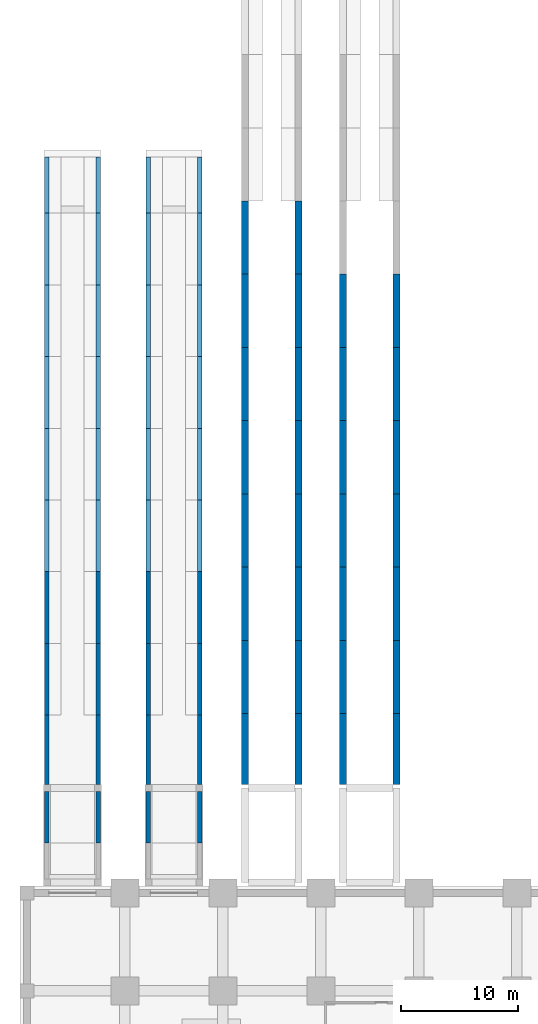
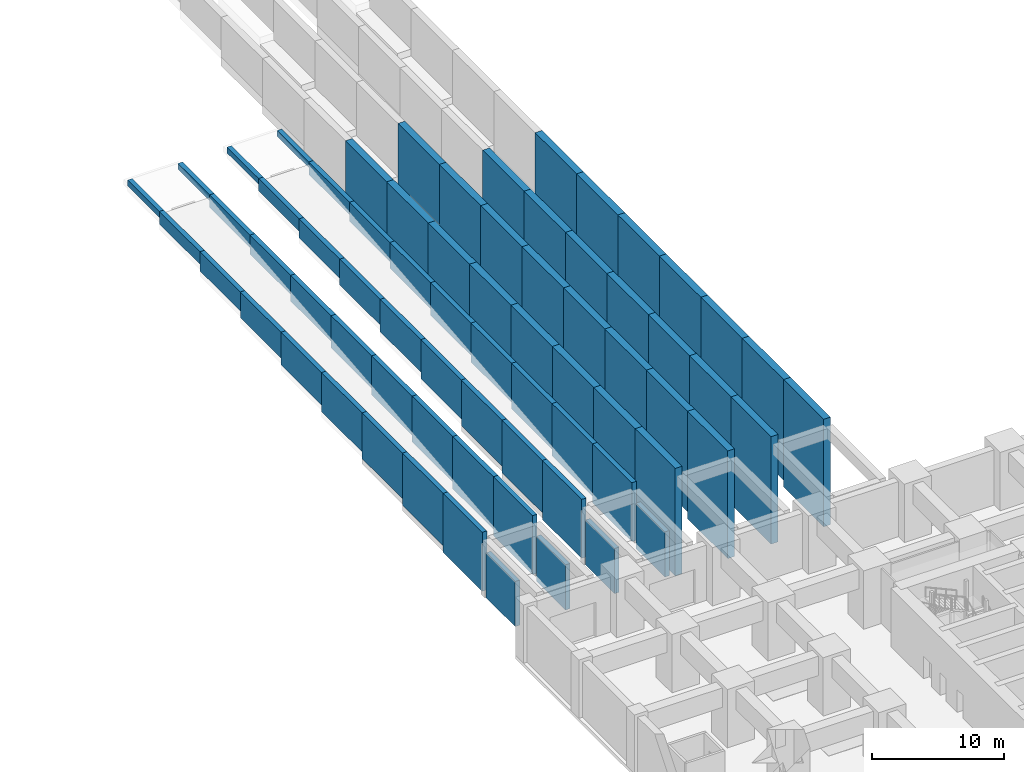
# One storey, part 10 of 20: 70 walls.
"""IFC4 building model written with IfcOpenShell, lengths in metres."""

from ifc_helpers import new_model, si_unit, direction, frame, frame_2d, origin, place, context, subcontext, project, spatial, rectangle, extrude, material, layer, layer_set, type_object, element, save


model = new_model("IFC4")

# Units and contexts
model_context = context("Model", 3, precision=1e-05, world=origin(), true_north=direction((0.0, 1.0)))
body_context = subcontext(model_context, "Body", "Model", "MODEL_VIEW")
ifc_project = project(units=[si_unit("LENGTHUNIT", "METRE"), si_unit("AREAUNIT", "SQUARE_METRE"), si_unit("VOLUMEUNIT", "CUBIC_METRE"), si_unit("PLANEANGLEUNIT", "RADIAN"), si_unit("MASSUNIT", "GRAM", prefix="KILO")], contexts=[model_context])

# Site, building, storey
site_placement = place(None, origin())
site = spatial("IfcSite", under=ifc_project, at=site_placement, CompositionType="ELEMENT")
building_placement = place(site_placement, origin())
building = spatial("IfcBuilding", under=site, at=building_placement, Name="Rekha Terrace Tower", CompositionType="ELEMENT")
storey_placement = place(building_placement, frame((0.0, 0.0, -5.39990234375)))
storey = spatial("IfcBuildingStorey", under=building, at=storey_placement, Name="B-01", CompositionType="ELEMENT", Elevation=-5.39990234375)

# Walls
ifc_material = material(Name="Concrete M40", Category="concrete")
ifc_layer_1 = layer(ifc_material, 0.39990234375)
ifc_layer_set_1 = layer_set([ifc_layer_1], Name="Concrete M40")
wall_type_1 = type_object("IfcWallType", Name="RW2 400 ramp retaining wall", PredefinedType="SOLIDWALL", material=ifc_layer_set_1)
wall_1_placement = place(storey_placement, frame((1.699951171875, 63.10009765625, -0.300048828125), z_axis=(0.0, 0.0, 1.0), x_axis=(0.0, 1.0, 0.0)))
element("IfcWall", 1, at=wall_1_placement, inside=storey, type_object=wall_type_1, Name="Ramp 1 kerb wall RW2 W2", PredefinedType="SOLIDWALL", context=body_context, shape_type="SweptSolid", body=[
    extrude(rectangle(XDim=4.39990234375, YDim=0.39990234375, at=frame_2d((2.199951171875, 0.0))), origin(), (0.0, 0.0, 1.0), 4.179931640625),
])
wall_2_placement = place(storey_placement, frame((1.699951171875, 68.10009765625, -0.06005859375), z_axis=(0.0, 0.0, 1.0), x_axis=(0.0, 1.0, 0.0)))
element("IfcWall", 2, at=wall_2_placement, inside=storey, type_object=wall_type_1, Name="Ramp 1 kerb wall RW2 W3", PredefinedType="SOLIDWALL", context=body_context, shape_type="SweptSolid", body=[
    extrude(rectangle(XDim=5.949951171875, YDim=0.39990234375, at=frame_2d((2.97509765625, 0.0))), origin(), (0.0, 0.0, 1.0), 5.4599609375),
])
wall_3_placement = place(storey_placement, frame((1.699951171875, 74.050048828125, 0.554931640625), z_axis=(0.0, 0.0, 1.0), x_axis=(0.0, 1.0, 0.0)))
element("IfcWall", 3, at=wall_3_placement, inside=storey, type_object=wall_type_1, Name="Ramp 1 kerb wall RW2 W4", PredefinedType="SOLIDWALL", context=body_context, shape_type="SweptSolid", body=[
    extrude(rectangle(XDim=6.14990234375, YDim=0.39990234375, at=frame_2d((3.074951171875, 0.0))), origin(), (0.0, 0.0, 1.0), 4.844970703125),
])
wall_4_placement = place(storey_placement, frame((1.699951171875, 80.199951171875, 1.169921875), z_axis=(0.0, 0.0, 1.0), x_axis=(0.0, 1.0, 0.0)))
element("IfcWall", 4, at=wall_4_placement, inside=storey, type_object=wall_type_1, Name="Ramp 1 kerb wall RW2 W5", PredefinedType="SOLIDWALL", context=body_context, shape_type="SweptSolid", body=[
    extrude(rectangle(XDim=6.150146484375, YDim=0.39990234375, at=frame_2d((3.0751953125, 0.0))), origin(), (0.0, 0.0, 1.0), 4.22998046875),
])
wall_5_placement = place(storey_placement, frame((1.699951171875, 86.35009765625, 1.784912109375), z_axis=(0.0, 0.0, 1.0), x_axis=(0.0, 1.0, 0.0)))
element("IfcWall", 5, at=wall_5_placement, inside=storey, type_object=wall_type_1, Name="Ramp 1 kerb wall RW2 W6", PredefinedType="SOLIDWALL", context=body_context, shape_type="SweptSolid", body=[
    extrude(rectangle(XDim=6.14990234375, YDim=0.39990234375, at=frame_2d((3.074951171875, 0.0))), origin(), (0.0, 0.0, 1.0), 3.614990234375),
])
wall_6_placement = place(storey_placement, frame((1.699951171875, 92.5, 2.39990234375), z_axis=(0.0, 0.0, 1.0), x_axis=(0.0, 1.0, 0.0)))
element("IfcWall", 6, at=wall_6_placement, inside=storey, type_object=wall_type_1, Name="Ramp 1 kerb wall RW2 W7", PredefinedType="SOLIDWALL", context=body_context, shape_type="SweptSolid", body=[
    extrude(rectangle(XDim=6.14990234375, YDim=0.39990234375, at=frame_2d((3.074951171875, 0.0))), origin(), (0.0, 0.0, 1.0), 3.0),
])
wall_7_placement = place(storey_placement, frame((1.699951171875, 98.64990234375, 3.014892578125), z_axis=(0.0, 0.0, 1.0), x_axis=(0.0, 1.0, 0.0)))
element("IfcWall", 7, at=wall_7_placement, inside=storey, type_object=wall_type_1, Name="Ramp 1 kerb wall RW2 W8", PredefinedType="SOLIDWALL", context=body_context, shape_type="SweptSolid", body=[
    extrude(rectangle(XDim=6.150146484375, YDim=0.39990234375, at=frame_2d((3.0751953125, 0.0))), origin(), (0.0, 0.0, 1.0), 2.385009765625),
])
wall_8_placement = place(storey_placement, frame((1.699951171875, 104.800048828125, 3.6298828125), z_axis=(0.0, 0.0, 1.0), x_axis=(0.0, 1.0, 0.0)))
element("IfcWall", 8, at=wall_8_placement, inside=storey, type_object=wall_type_1, Name="Ramp 1 kerb wall RW2 W9", PredefinedType="SOLIDWALL", context=body_context, shape_type="SweptSolid", body=[
    extrude(rectangle(XDim=6.14990234375, YDim=0.39990234375, at=frame_2d((3.074951171875, 0.0))), origin(), (0.0, 0.0, 1.0), 1.77001953125),
])
wall_9_placement = place(storey_placement, frame((1.699951171875, 110.949951171875, 4.244873046875), z_axis=(0.0, 0.0, 1.0), x_axis=(0.0, 1.0, 0.0)))
element("IfcWall", 9, at=wall_9_placement, inside=storey, type_object=wall_type_1, Name="Ramp 1 kerb wall RW2 W10", PredefinedType="SOLIDWALL", context=body_context, shape_type="SweptSolid", body=[
    extrude(rectangle(XDim=6.150146484375, YDim=0.39990234375, at=frame_2d((3.0751953125, 0.0))), origin(), (0.0, 0.0, 1.0), 1.155029296875),
])
wall_10_placement = place(storey_placement, frame((1.699951171875, 117.10009765625, 4.85986328125), z_axis=(0.0, 0.0, 1.0), x_axis=(0.0, 1.0, 0.0)))
element("IfcWall", 10, at=wall_10_placement, inside=storey, type_object=wall_type_1, Name="Ramp 1 kerb wall RW2 W11", PredefinedType="SOLIDWALL", context=body_context, shape_type="SweptSolid", body=[
    extrude(rectangle(XDim=4.7998046875, YDim=0.39990234375, at=frame_2d((2.39990234375, 0.0))), origin(), (0.0, 0.0, 1.0), 0.5400390625),
])
wall_11_placement = place(storey_placement, frame((6.10009765625, 63.10009765625, -0.300048828125), z_axis=(0.0, 0.0, 1.0), x_axis=(0.0, 1.0, 0.0)))
element("IfcWall", 11, at=wall_11_placement, inside=storey, type_object=wall_type_1, Name="Ramp 1 kerb wall RW2 E2", PredefinedType="SOLIDWALL", context=body_context, shape_type="SweptSolid", body=[
    extrude(rectangle(XDim=4.39990234375, YDim=0.39990234375, at=frame_2d((2.199951171875, 0.0))), origin(), (0.0, 0.0, 1.0), 4.179931640625),
])
wall_12_placement = place(storey_placement, frame((6.10009765625, 68.10009765625, -0.06005859375), z_axis=(0.0, 0.0, 1.0), x_axis=(0.0, 1.0, 0.0)))
element("IfcWall", 12, at=wall_12_placement, inside=storey, type_object=wall_type_1, Name="Ramp 1 kerb wall RW2 E3", PredefinedType="SOLIDWALL", context=body_context, shape_type="SweptSolid", body=[
    extrude(rectangle(XDim=5.949951171875, YDim=0.39990234375, at=frame_2d((2.97509765625, 0.0))), origin(), (0.0, 0.0, 1.0), 5.4599609375),
])
wall_13_placement = place(storey_placement, frame((6.10009765625, 74.050048828125, 0.554931640625), z_axis=(0.0, 0.0, 1.0), x_axis=(0.0, 1.0, 0.0)))
element("IfcWall", 13, at=wall_13_placement, inside=storey, type_object=wall_type_1, Name="Ramp 1 kerb wall RW2 E4", PredefinedType="SOLIDWALL", context=body_context, shape_type="SweptSolid", body=[
    extrude(rectangle(XDim=6.14990234375, YDim=0.39990234375, at=frame_2d((3.074951171875, 0.0))), origin(), (0.0, 0.0, 1.0), 4.844970703125),
])
wall_14_placement = place(storey_placement, frame((6.10009765625, 80.199951171875, 1.169921875), z_axis=(0.0, 0.0, 1.0), x_axis=(0.0, 1.0, 0.0)))
element("IfcWall", 14, at=wall_14_placement, inside=storey, type_object=wall_type_1, Name="Ramp 1 kerb wall RW2 E5", PredefinedType="SOLIDWALL", context=body_context, shape_type="SweptSolid", body=[
    extrude(rectangle(XDim=6.150146484375, YDim=0.39990234375, at=frame_2d((3.0751953125, 0.0))), origin(), (0.0, 0.0, 1.0), 4.22998046875),
])
wall_15_placement = place(storey_placement, frame((6.10009765625, 86.35009765625, 1.784912109375), z_axis=(0.0, 0.0, 1.0), x_axis=(0.0, 1.0, 0.0)))
element("IfcWall", 15, at=wall_15_placement, inside=storey, type_object=wall_type_1, Name="Ramp 1 kerb wall RW2 E6", PredefinedType="SOLIDWALL", context=body_context, shape_type="SweptSolid", body=[
    extrude(rectangle(XDim=6.14990234375, YDim=0.39990234375, at=frame_2d((3.074951171875, 0.0))), origin(), (0.0, 0.0, 1.0), 3.614990234375),
])
wall_16_placement = place(storey_placement, frame((6.10009765625, 92.5, 2.39990234375), z_axis=(0.0, 0.0, 1.0), x_axis=(0.0, 1.0, 0.0)))
element("IfcWall", 16, at=wall_16_placement, inside=storey, type_object=wall_type_1, Name="Ramp 1 kerb wall RW2 E7", PredefinedType="SOLIDWALL", context=body_context, shape_type="SweptSolid", body=[
    extrude(rectangle(XDim=6.14990234375, YDim=0.39990234375, at=frame_2d((3.074951171875, 0.0))), origin(), (0.0, 0.0, 1.0), 3.0),
])
wall_17_placement = place(storey_placement, frame((6.10009765625, 98.64990234375, 3.014892578125), z_axis=(0.0, 0.0, 1.0), x_axis=(0.0, 1.0, 0.0)))
element("IfcWall", 17, at=wall_17_placement, inside=storey, type_object=wall_type_1, Name="Ramp 1 kerb wall RW2 E8", PredefinedType="SOLIDWALL", context=body_context, shape_type="SweptSolid", body=[
    extrude(rectangle(XDim=6.150146484375, YDim=0.39990234375, at=frame_2d((3.0751953125, 0.0))), origin(), (0.0, 0.0, 1.0), 2.385009765625),
])
wall_18_placement = place(storey_placement, frame((6.10009765625, 104.800048828125, 3.6298828125), z_axis=(0.0, 0.0, 1.0), x_axis=(0.0, 1.0, 0.0)))
element("IfcWall", 18, at=wall_18_placement, inside=storey, type_object=wall_type_1, Name="Ramp 1 kerb wall RW2 E9", PredefinedType="SOLIDWALL", context=body_context, shape_type="SweptSolid", body=[
    extrude(rectangle(XDim=6.14990234375, YDim=0.39990234375, at=frame_2d((3.074951171875, 0.0))), origin(), (0.0, 0.0, 1.0), 1.77001953125),
])
wall_19_placement = place(storey_placement, frame((6.10009765625, 110.949951171875, 4.244873046875), z_axis=(0.0, 0.0, 1.0), x_axis=(0.0, 1.0, 0.0)))
element("IfcWall", 19, at=wall_19_placement, inside=storey, type_object=wall_type_1, Name="Ramp 1 kerb wall RW2 E10", PredefinedType="SOLIDWALL", context=body_context, shape_type="SweptSolid", body=[
    extrude(rectangle(XDim=6.150146484375, YDim=0.39990234375, at=frame_2d((3.0751953125, 0.0))), origin(), (0.0, 0.0, 1.0), 1.155029296875),
])
wall_20_placement = place(storey_placement, frame((6.10009765625, 117.10009765625, 4.85986328125), z_axis=(0.0, 0.0, 1.0), x_axis=(0.0, 1.0, 0.0)))
element("IfcWall", 20, at=wall_20_placement, inside=storey, type_object=wall_type_1, Name="Ramp 1 kerb wall RW2 E11", PredefinedType="SOLIDWALL", context=body_context, shape_type="SweptSolid", body=[
    extrude(rectangle(XDim=4.7998046875, YDim=0.39990234375, at=frame_2d((2.39990234375, 0.0))), origin(), (0.0, 0.0, 1.0), 0.5400390625),
])
wall_21_placement = place(storey_placement, frame((10.39990234375, 63.10009765625, -0.300048828125), z_axis=(0.0, 0.0, 1.0), x_axis=(0.0, 1.0, 0.0)))
element("IfcWall", 21, at=wall_21_placement, inside=storey, type_object=wall_type_1, Name="Ramp 2 kerb wall RW2 W2", PredefinedType="SOLIDWALL", context=body_context, shape_type="SweptSolid", body=[
    extrude(rectangle(XDim=4.39990234375, YDim=0.39990234375, at=frame_2d((2.199951171875, 0.0))), origin(), (0.0, 0.0, 1.0), 4.179931640625),
])
wall_22_placement = place(storey_placement, frame((10.39990234375, 68.10009765625, -0.06005859375), z_axis=(0.0, 0.0, 1.0), x_axis=(0.0, 1.0, 0.0)))
element("IfcWall", 22, at=wall_22_placement, inside=storey, type_object=wall_type_1, Name="Ramp 2 kerb wall RW2 W3", PredefinedType="SOLIDWALL", context=body_context, shape_type="SweptSolid", body=[
    extrude(rectangle(XDim=5.949951171875, YDim=0.39990234375, at=frame_2d((2.97509765625, 0.0))), origin(), (0.0, 0.0, 1.0), 5.4599609375),
])
wall_23_placement = place(storey_placement, frame((10.39990234375, 74.050048828125, 0.554931640625), z_axis=(0.0, 0.0, 1.0), x_axis=(0.0, 1.0, 0.0)))
element("IfcWall", 23, at=wall_23_placement, inside=storey, type_object=wall_type_1, Name="Ramp 2 kerb wall RW2 W4", PredefinedType="SOLIDWALL", context=body_context, shape_type="SweptSolid", body=[
    extrude(rectangle(XDim=6.14990234375, YDim=0.39990234375, at=frame_2d((3.074951171875, 0.0))), origin(), (0.0, 0.0, 1.0), 4.844970703125),
])
wall_24_placement = place(storey_placement, frame((10.39990234375, 80.199951171875, 1.169921875), z_axis=(0.0, 0.0, 1.0), x_axis=(0.0, 1.0, 0.0)))
element("IfcWall", 24, at=wall_24_placement, inside=storey, type_object=wall_type_1, Name="Ramp 2 kerb wall RW2 W5", PredefinedType="SOLIDWALL", context=body_context, shape_type="SweptSolid", body=[
    extrude(rectangle(XDim=6.150146484375, YDim=0.39990234375, at=frame_2d((3.0751953125, 0.0))), origin(), (0.0, 0.0, 1.0), 4.22998046875),
])
wall_25_placement = place(storey_placement, frame((10.39990234375, 86.35009765625, 1.784912109375), z_axis=(0.0, 0.0, 1.0), x_axis=(0.0, 1.0, 0.0)))
element("IfcWall", 25, at=wall_25_placement, inside=storey, type_object=wall_type_1, Name="Ramp 2 kerb wall RW2 W6", PredefinedType="SOLIDWALL", context=body_context, shape_type="SweptSolid", body=[
    extrude(rectangle(XDim=6.14990234375, YDim=0.39990234375, at=frame_2d((3.074951171875, 0.0))), origin(), (0.0, 0.0, 1.0), 3.614990234375),
])
wall_26_placement = place(storey_placement, frame((10.39990234375, 92.5, 2.39990234375), z_axis=(0.0, 0.0, 1.0), x_axis=(0.0, 1.0, 0.0)))
element("IfcWall", 26, at=wall_26_placement, inside=storey, type_object=wall_type_1, Name="Ramp 2 kerb wall RW2 W7", PredefinedType="SOLIDWALL", context=body_context, shape_type="SweptSolid", body=[
    extrude(rectangle(XDim=6.14990234375, YDim=0.39990234375, at=frame_2d((3.074951171875, 0.0))), origin(), (0.0, 0.0, 1.0), 3.0),
])
wall_27_placement = place(storey_placement, frame((10.39990234375, 98.64990234375, 3.014892578125), z_axis=(0.0, 0.0, 1.0), x_axis=(0.0, 1.0, 0.0)))
element("IfcWall", 27, at=wall_27_placement, inside=storey, type_object=wall_type_1, Name="Ramp 2 kerb wall RW2 W8", PredefinedType="SOLIDWALL", context=body_context, shape_type="SweptSolid", body=[
    extrude(rectangle(XDim=6.150146484375, YDim=0.39990234375, at=frame_2d((3.0751953125, 0.0))), origin(), (0.0, 0.0, 1.0), 2.385009765625),
])
wall_28_placement = place(storey_placement, frame((10.39990234375, 104.800048828125, 3.6298828125), z_axis=(0.0, 0.0, 1.0), x_axis=(0.0, 1.0, 0.0)))
element("IfcWall", 28, at=wall_28_placement, inside=storey, type_object=wall_type_1, Name="Ramp 2 kerb wall RW2 W9", PredefinedType="SOLIDWALL", context=body_context, shape_type="SweptSolid", body=[
    extrude(rectangle(XDim=6.14990234375, YDim=0.39990234375, at=frame_2d((3.074951171875, 0.0))), origin(), (0.0, 0.0, 1.0), 1.77001953125),
])
wall_29_placement = place(storey_placement, frame((10.39990234375, 110.949951171875, 4.244873046875), z_axis=(0.0, 0.0, 1.0), x_axis=(0.0, 1.0, 0.0)))
element("IfcWall", 29, at=wall_29_placement, inside=storey, type_object=wall_type_1, Name="Ramp 2 kerb wall RW2 W10", PredefinedType="SOLIDWALL", context=body_context, shape_type="SweptSolid", body=[
    extrude(rectangle(XDim=6.150146484375, YDim=0.39990234375, at=frame_2d((3.0751953125, 0.0))), origin(), (0.0, 0.0, 1.0), 1.155029296875),
])
wall_30_placement = place(storey_placement, frame((10.39990234375, 117.10009765625, 4.85986328125), z_axis=(0.0, 0.0, 1.0), x_axis=(0.0, 1.0, 0.0)))
element("IfcWall", 30, at=wall_30_placement, inside=storey, type_object=wall_type_1, Name="Ramp 2 kerb wall RW2 W11", PredefinedType="SOLIDWALL", context=body_context, shape_type="SweptSolid", body=[
    extrude(rectangle(XDim=4.7998046875, YDim=0.39990234375, at=frame_2d((2.39990234375, 0.0))), origin(), (0.0, 0.0, 1.0), 0.5400390625),
])
wall_31_placement = place(storey_placement, frame((14.800048828125, 63.10009765625, -0.300048828125), z_axis=(0.0, 0.0, 1.0), x_axis=(0.0, 1.0, 0.0)))
element("IfcWall", 31, at=wall_31_placement, inside=storey, type_object=wall_type_1, Name="Ramp 2 kerb wall RW2 E2", PredefinedType="SOLIDWALL", context=body_context, shape_type="SweptSolid", body=[
    extrude(rectangle(XDim=4.39990234375, YDim=0.39990234375, at=frame_2d((2.199951171875, 0.0))), origin(), (0.0, 0.0, 1.0), 4.179931640625),
])
wall_32_placement = place(storey_placement, frame((14.800048828125, 68.10009765625, -0.06005859375), z_axis=(0.0, 0.0, 1.0), x_axis=(0.0, 1.0, 0.0)))
element("IfcWall", 32, at=wall_32_placement, inside=storey, type_object=wall_type_1, Name="Ramp 2 kerb wall RW2 E3", PredefinedType="SOLIDWALL", context=body_context, shape_type="SweptSolid", body=[
    extrude(rectangle(XDim=5.949951171875, YDim=0.39990234375, at=frame_2d((2.97509765625, 0.0))), origin(), (0.0, 0.0, 1.0), 5.4599609375),
])
wall_33_placement = place(storey_placement, frame((14.800048828125, 74.050048828125, 0.554931640625), z_axis=(0.0, 0.0, 1.0), x_axis=(0.0, 1.0, 0.0)))
element("IfcWall", 33, at=wall_33_placement, inside=storey, type_object=wall_type_1, Name="Ramp 2 kerb wall RW2 E4", PredefinedType="SOLIDWALL", context=body_context, shape_type="SweptSolid", body=[
    extrude(rectangle(XDim=6.14990234375, YDim=0.39990234375, at=frame_2d((3.074951171875, 0.0))), origin(), (0.0, 0.0, 1.0), 4.844970703125),
])
wall_34_placement = place(storey_placement, frame((14.800048828125, 80.199951171875, 1.169921875), z_axis=(0.0, 0.0, 1.0), x_axis=(0.0, 1.0, 0.0)))
element("IfcWall", 34, at=wall_34_placement, inside=storey, type_object=wall_type_1, Name="Ramp 2 kerb wall RW2 E5", PredefinedType="SOLIDWALL", context=body_context, shape_type="SweptSolid", body=[
    extrude(rectangle(XDim=6.150146484375, YDim=0.39990234375, at=frame_2d((3.0751953125, 0.0))), origin(), (0.0, 0.0, 1.0), 4.22998046875),
])
wall_35_placement = place(storey_placement, frame((14.800048828125, 86.35009765625, 1.784912109375), z_axis=(0.0, 0.0, 1.0), x_axis=(0.0, 1.0, 0.0)))
element("IfcWall", 35, at=wall_35_placement, inside=storey, type_object=wall_type_1, Name="Ramp 2 kerb wall RW2 E6", PredefinedType="SOLIDWALL", context=body_context, shape_type="SweptSolid", body=[
    extrude(rectangle(XDim=6.14990234375, YDim=0.39990234375, at=frame_2d((3.074951171875, 0.0))), origin(), (0.0, 0.0, 1.0), 3.614990234375),
])
wall_36_placement = place(storey_placement, frame((14.800048828125, 92.5, 2.39990234375), z_axis=(0.0, 0.0, 1.0), x_axis=(0.0, 1.0, 0.0)))
element("IfcWall", 36, at=wall_36_placement, inside=storey, type_object=wall_type_1, Name="Ramp 2 kerb wall RW2 E7", PredefinedType="SOLIDWALL", context=body_context, shape_type="SweptSolid", body=[
    extrude(rectangle(XDim=6.14990234375, YDim=0.39990234375, at=frame_2d((3.074951171875, 0.0))), origin(), (0.0, 0.0, 1.0), 3.0),
])
wall_37_placement = place(storey_placement, frame((14.800048828125, 98.64990234375, 3.014892578125), z_axis=(0.0, 0.0, 1.0), x_axis=(0.0, 1.0, 0.0)))
element("IfcWall", 37, at=wall_37_placement, inside=storey, type_object=wall_type_1, Name="Ramp 2 kerb wall RW2 E8", PredefinedType="SOLIDWALL", context=body_context, shape_type="SweptSolid", body=[
    extrude(rectangle(XDim=6.150146484375, YDim=0.39990234375, at=frame_2d((3.0751953125, 0.0))), origin(), (0.0, 0.0, 1.0), 2.385009765625),
])
wall_38_placement = place(storey_placement, frame((14.800048828125, 104.800048828125, 3.6298828125), z_axis=(0.0, 0.0, 1.0), x_axis=(0.0, 1.0, 0.0)))
element("IfcWall", 38, at=wall_38_placement, inside=storey, type_object=wall_type_1, Name="Ramp 2 kerb wall RW2 E9", PredefinedType="SOLIDWALL", context=body_context, shape_type="SweptSolid", body=[
    extrude(rectangle(XDim=6.14990234375, YDim=0.39990234375, at=frame_2d((3.074951171875, 0.0))), origin(), (0.0, 0.0, 1.0), 1.77001953125),
])
wall_39_placement = place(storey_placement, frame((14.800048828125, 110.949951171875, 4.244873046875), z_axis=(0.0, 0.0, 1.0), x_axis=(0.0, 1.0, 0.0)))
element("IfcWall", 39, at=wall_39_placement, inside=storey, type_object=wall_type_1, Name="Ramp 2 kerb wall RW2 E10", PredefinedType="SOLIDWALL", context=body_context, shape_type="SweptSolid", body=[
    extrude(rectangle(XDim=6.150146484375, YDim=0.39990234375, at=frame_2d((3.0751953125, 0.0))), origin(), (0.0, 0.0, 1.0), 1.155029296875),
])
wall_40_placement = place(storey_placement, frame((14.800048828125, 117.10009765625, 4.85986328125), z_axis=(0.0, 0.0, 1.0), x_axis=(0.0, 1.0, 0.0)))
element("IfcWall", 40, at=wall_40_placement, inside=storey, type_object=wall_type_1, Name="Ramp 2 kerb wall RW2 E11", PredefinedType="SOLIDWALL", context=body_context, shape_type="SweptSolid", body=[
    extrude(rectangle(XDim=4.7998046875, YDim=0.39990234375, at=frame_2d((2.39990234375, 0.0))), origin(), (0.0, 0.0, 1.0), 0.5400390625),
])
ifc_layer_2 = layer(ifc_material, 0.60009765625)
ifc_layer_set_2 = layer_set([ifc_layer_2], Name="Concrete M40")
wall_type_2 = type_object("IfcWallType", Name="RW4 600 ramp retaining wall", PredefinedType="SOLIDWALL", material=ifc_layer_set_2)
wall_41_placement = place(storey_placement, frame((18.699951171875, 68.10009765625, -4.56005859375), z_axis=(0.0, 0.0, 1.0), x_axis=(0.0, 1.0, 0.0)))
element("IfcWall", 41, at=wall_41_placement, inside=storey, type_object=wall_type_2, Name="Ramp 3 kerb wall RW4 W3", PredefinedType="SOLIDWALL", context=body_context, shape_type="SweptSolid", body=[
    extrude(rectangle(XDim=6.079833984375, YDim=0.60009765625, at=frame_2d((3.0400390625, 0.0))), origin(), (0.0, 0.0, 1.0), 9.9599609375),
])
wall_42_placement = place(storey_placement, frame((18.699951171875, 74.179931640625, -3.93212890625), z_axis=(0.0, 0.0, 1.0), x_axis=(0.0, 1.0, 0.0)))
element("IfcWall", 42, at=wall_42_placement, inside=storey, type_object=wall_type_2, Name="Ramp 3 kerb wall RW4 W4", PredefinedType="SOLIDWALL", context=body_context, shape_type="SweptSolid", body=[
    extrude(rectangle(XDim=6.280029296875, YDim=0.60009765625, at=frame_2d((3.14013671875, 0.0))), origin(), (0.0, 0.0, 1.0), 9.33203125),
])
wall_43_placement = place(storey_placement, frame((18.699951171875, 80.4599609375, -3.30419921875), z_axis=(0.0, 0.0, 1.0), x_axis=(0.0, 1.0, 0.0)))
element("IfcWall", 43, at=wall_43_placement, inside=storey, type_object=wall_type_2, Name="Ramp 3 kerb wall RW4 W5", PredefinedType="SOLIDWALL", context=body_context, shape_type="SweptSolid", body=[
    extrude(rectangle(XDim=6.280029296875, YDim=0.60009765625, at=frame_2d((3.14013671875, 0.0))), origin(), (0.0, 0.0, 1.0), 8.7041015625),
])
wall_44_placement = place(storey_placement, frame((18.699951171875, 86.739990234375, -2.676025390625), z_axis=(0.0, 0.0, 1.0), x_axis=(0.0, 1.0, 0.0)))
element("IfcWall", 44, at=wall_44_placement, inside=storey, type_object=wall_type_2, Name="Ramp 3 kerb wall RW4 W6", PredefinedType="SOLIDWALL", context=body_context, shape_type="SweptSolid", body=[
    extrude(rectangle(XDim=6.280029296875, YDim=0.60009765625, at=frame_2d((3.14013671875, 0.0))), origin(), (0.0, 0.0, 1.0), 8.075927734375),
])
wall_45_placement = place(storey_placement, frame((18.699951171875, 93.02001953125, -2.048095703125), z_axis=(0.0, 0.0, 1.0), x_axis=(0.0, 1.0, 0.0)))
element("IfcWall", 45, at=wall_45_placement, inside=storey, type_object=wall_type_2, Name="Ramp 3 kerb wall RW4 W7", PredefinedType="SOLIDWALL", context=body_context, shape_type="SweptSolid", body=[
    extrude(rectangle(XDim=6.280029296875, YDim=0.60009765625, at=frame_2d((3.14013671875, 0.0))), origin(), (0.0, 0.0, 1.0), 7.447998046875),
])
wall_46_placement = place(storey_placement, frame((18.699951171875, 99.300048828125, -1.420166015625), z_axis=(0.0, 0.0, 1.0), x_axis=(0.0, 1.0, 0.0)))
element("IfcWall", 46, at=wall_46_placement, inside=storey, type_object=wall_type_2, Name="Ramp 3 kerb wall RW4 W8", PredefinedType="SOLIDWALL", context=body_context, shape_type="SweptSolid", body=[
    extrude(rectangle(XDim=6.280029296875, YDim=0.60009765625, at=frame_2d((3.14013671875, 0.0))), origin(), (0.0, 0.0, 1.0), 6.820068359375),
])
wall_47_placement = place(storey_placement, frame((18.699951171875, 105.580078125, -0.7919921875), z_axis=(0.0, 0.0, 1.0), x_axis=(0.0, 1.0, 0.0)))
element("IfcWall", 47, at=wall_47_placement, inside=storey, type_object=wall_type_2, Name="Ramp 3 kerb wall RW4 W9", PredefinedType="SOLIDWALL", context=body_context, shape_type="SweptSolid", body=[
    extrude(rectangle(XDim=6.280029296875, YDim=0.60009765625, at=frame_2d((3.14013671875, 0.0))), origin(), (0.0, 0.0, 1.0), 6.19189453125),
])
wall_48_placement = place(storey_placement, frame((18.699951171875, 111.860107421875, -0.1640625), z_axis=(0.0, 0.0, 1.0), x_axis=(0.0, 1.0, 0.0)))
element("IfcWall", 48, at=wall_48_placement, inside=storey, type_object=wall_type_2, Name="Ramp 3 kerb wall RW4 W10", PredefinedType="SOLIDWALL", context=body_context, shape_type="SweptSolid", body=[
    extrude(rectangle(XDim=6.27978515625, YDim=0.60009765625, at=frame_2d((3.139892578125, 0.0))), origin(), (0.0, 0.0, 1.0), 5.56396484375),
])
wall_49_placement = place(storey_placement, frame((23.300048828125, 68.10009765625, -4.56005859375), z_axis=(0.0, 0.0, 1.0), x_axis=(0.0, 1.0, 0.0)))
element("IfcWall", 49, at=wall_49_placement, inside=storey, type_object=wall_type_2, Name="Ramp 3 kerb wall RW4 E3", PredefinedType="SOLIDWALL", context=body_context, shape_type="SweptSolid", body=[
    extrude(rectangle(XDim=6.079833984375, YDim=0.60009765625, at=frame_2d((3.0400390625, 0.0))), origin(), (0.0, 0.0, 1.0), 9.9599609375),
])
wall_50_placement = place(storey_placement, frame((23.300048828125, 74.179931640625, -3.93212890625), z_axis=(0.0, 0.0, 1.0), x_axis=(0.0, 1.0, 0.0)))
element("IfcWall", 50, at=wall_50_placement, inside=storey, type_object=wall_type_2, Name="Ramp 3 kerb wall RW4 E4", PredefinedType="SOLIDWALL", context=body_context, shape_type="SweptSolid", body=[
    extrude(rectangle(XDim=6.280029296875, YDim=0.60009765625, at=frame_2d((3.14013671875, 0.0))), origin(), (0.0, 0.0, 1.0), 9.33203125),
])
wall_51_placement = place(storey_placement, frame((23.300048828125, 80.4599609375, -3.30419921875), z_axis=(0.0, 0.0, 1.0), x_axis=(0.0, 1.0, 0.0)))
element("IfcWall", 51, at=wall_51_placement, inside=storey, type_object=wall_type_2, Name="Ramp 3 kerb wall RW4 E5", PredefinedType="SOLIDWALL", context=body_context, shape_type="SweptSolid", body=[
    extrude(rectangle(XDim=6.280029296875, YDim=0.60009765625, at=frame_2d((3.14013671875, 0.0))), origin(), (0.0, 0.0, 1.0), 8.7041015625),
])
wall_52_placement = place(storey_placement, frame((23.300048828125, 86.739990234375, -2.676025390625), z_axis=(0.0, 0.0, 1.0), x_axis=(0.0, 1.0, 0.0)))
element("IfcWall", 52, at=wall_52_placement, inside=storey, type_object=wall_type_2, Name="Ramp 3 kerb wall RW4 E6", PredefinedType="SOLIDWALL", context=body_context, shape_type="SweptSolid", body=[
    extrude(rectangle(XDim=6.280029296875, YDim=0.60009765625, at=frame_2d((3.14013671875, 0.0))), origin(), (0.0, 0.0, 1.0), 8.075927734375),
])
wall_53_placement = place(storey_placement, frame((23.300048828125, 93.02001953125, -2.048095703125), z_axis=(0.0, 0.0, 1.0), x_axis=(0.0, 1.0, 0.0)))
element("IfcWall", 53, at=wall_53_placement, inside=storey, type_object=wall_type_2, Name="Ramp 3 kerb wall RW4 E7", PredefinedType="SOLIDWALL", context=body_context, shape_type="SweptSolid", body=[
    extrude(rectangle(XDim=6.280029296875, YDim=0.60009765625, at=frame_2d((3.14013671875, 0.0))), origin(), (0.0, 0.0, 1.0), 7.447998046875),
])
wall_54_placement = place(storey_placement, frame((23.300048828125, 99.300048828125, -1.420166015625), z_axis=(0.0, 0.0, 1.0), x_axis=(0.0, 1.0, 0.0)))
element("IfcWall", 54, at=wall_54_placement, inside=storey, type_object=wall_type_2, Name="Ramp 3 kerb wall RW4 E8", PredefinedType="SOLIDWALL", context=body_context, shape_type="SweptSolid", body=[
    extrude(rectangle(XDim=6.280029296875, YDim=0.60009765625, at=frame_2d((3.14013671875, 0.0))), origin(), (0.0, 0.0, 1.0), 6.820068359375),
])
wall_55_placement = place(storey_placement, frame((23.300048828125, 105.580078125, -0.7919921875), z_axis=(0.0, 0.0, 1.0), x_axis=(0.0, 1.0, 0.0)))
element("IfcWall", 55, at=wall_55_placement, inside=storey, type_object=wall_type_2, Name="Ramp 3 kerb wall RW4 E9", PredefinedType="SOLIDWALL", context=body_context, shape_type="SweptSolid", body=[
    extrude(rectangle(XDim=6.280029296875, YDim=0.60009765625, at=frame_2d((3.14013671875, 0.0))), origin(), (0.0, 0.0, 1.0), 6.19189453125),
])
wall_56_placement = place(storey_placement, frame((23.300048828125, 111.860107421875, -0.1640625), z_axis=(0.0, 0.0, 1.0), x_axis=(0.0, 1.0, 0.0)))
element("IfcWall", 56, at=wall_56_placement, inside=storey, type_object=wall_type_2, Name="Ramp 3 kerb wall RW4 E10", PredefinedType="SOLIDWALL", context=body_context, shape_type="SweptSolid", body=[
    extrude(rectangle(XDim=6.27978515625, YDim=0.60009765625, at=frame_2d((3.139892578125, 0.0))), origin(), (0.0, 0.0, 1.0), 5.56396484375),
])
wall_57_placement = place(storey_placement, frame((27.10009765625, 68.10009765625, -4.56005859375), z_axis=(0.0, 0.0, 1.0), x_axis=(0.0, 1.0, 0.0)))
element("IfcWall", 57, at=wall_57_placement, inside=storey, type_object=wall_type_2, Name="Ramp 4 kerb wall RW4 W3", PredefinedType="SOLIDWALL", context=body_context, shape_type="SweptSolid", body=[
    extrude(rectangle(XDim=6.079833984375, YDim=0.60009765625, at=frame_2d((3.0400390625, 0.0))), origin(), (0.0, 0.0, 1.0), 9.9599609375),
])
wall_58_placement = place(storey_placement, frame((27.10009765625, 74.179931640625, -3.93212890625), z_axis=(0.0, 0.0, 1.0), x_axis=(0.0, 1.0, 0.0)))
element("IfcWall", 58, at=wall_58_placement, inside=storey, type_object=wall_type_2, Name="Ramp 4 kerb wall RW4 W4", PredefinedType="SOLIDWALL", context=body_context, shape_type="SweptSolid", body=[
    extrude(rectangle(XDim=6.280029296875, YDim=0.60009765625, at=frame_2d((3.14013671875, 0.0))), origin(), (0.0, 0.0, 1.0), 9.33203125),
])
wall_59_placement = place(storey_placement, frame((27.10009765625, 80.4599609375, -3.30419921875), z_axis=(0.0, 0.0, 1.0), x_axis=(0.0, 1.0, 0.0)))
element("IfcWall", 59, at=wall_59_placement, inside=storey, type_object=wall_type_2, Name="Ramp 4 kerb wall RW4 W5", PredefinedType="SOLIDWALL", context=body_context, shape_type="SweptSolid", body=[
    extrude(rectangle(XDim=6.280029296875, YDim=0.60009765625, at=frame_2d((3.14013671875, 0.0))), origin(), (0.0, 0.0, 1.0), 8.7041015625),
])
wall_60_placement = place(storey_placement, frame((27.10009765625, 86.739990234375, -2.676025390625), z_axis=(0.0, 0.0, 1.0), x_axis=(0.0, 1.0, 0.0)))
element("IfcWall", 60, at=wall_60_placement, inside=storey, type_object=wall_type_2, Name="Ramp 4 kerb wall RW4 W6", PredefinedType="SOLIDWALL", context=body_context, shape_type="SweptSolid", body=[
    extrude(rectangle(XDim=6.280029296875, YDim=0.60009765625, at=frame_2d((3.14013671875, 0.0))), origin(), (0.0, 0.0, 1.0), 8.075927734375),
])
wall_61_placement = place(storey_placement, frame((27.10009765625, 93.02001953125, -2.048095703125), z_axis=(0.0, 0.0, 1.0), x_axis=(0.0, 1.0, 0.0)))
element("IfcWall", 61, at=wall_61_placement, inside=storey, type_object=wall_type_2, Name="Ramp 4 kerb wall RW4 W7", PredefinedType="SOLIDWALL", context=body_context, shape_type="SweptSolid", body=[
    extrude(rectangle(XDim=6.280029296875, YDim=0.60009765625, at=frame_2d((3.14013671875, 0.0))), origin(), (0.0, 0.0, 1.0), 7.447998046875),
])
wall_62_placement = place(storey_placement, frame((27.10009765625, 99.300048828125, -1.420166015625), z_axis=(0.0, 0.0, 1.0), x_axis=(0.0, 1.0, 0.0)))
element("IfcWall", 62, at=wall_62_placement, inside=storey, type_object=wall_type_2, Name="Ramp 4 kerb wall RW4 W8", PredefinedType="SOLIDWALL", context=body_context, shape_type="SweptSolid", body=[
    extrude(rectangle(XDim=6.280029296875, YDim=0.60009765625, at=frame_2d((3.14013671875, 0.0))), origin(), (0.0, 0.0, 1.0), 6.820068359375),
])
wall_63_placement = place(storey_placement, frame((27.10009765625, 105.580078125, -0.7919921875), z_axis=(0.0, 0.0, 1.0), x_axis=(0.0, 1.0, 0.0)))
element("IfcWall", 63, at=wall_63_placement, inside=storey, type_object=wall_type_2, Name="Ramp 4 kerb wall RW4 W9", PredefinedType="SOLIDWALL", context=body_context, shape_type="SweptSolid", body=[
    extrude(rectangle(XDim=6.280029296875, YDim=0.60009765625, at=frame_2d((3.14013671875, 0.0))), origin(), (0.0, 0.0, 1.0), 6.19189453125),
])
wall_64_placement = place(storey_placement, frame((31.699951171875, 68.10009765625, -4.56005859375), z_axis=(0.0, 0.0, 1.0), x_axis=(0.0, 1.0, 0.0)))
element("IfcWall", 64, at=wall_64_placement, inside=storey, type_object=wall_type_2, Name="Ramp 4 kerb wall RW4 E3", PredefinedType="SOLIDWALL", context=body_context, shape_type="SweptSolid", body=[
    extrude(rectangle(XDim=6.079833984375, YDim=0.60009765625, at=frame_2d((3.0400390625, 0.0))), origin(), (0.0, 0.0, 1.0), 9.9599609375),
])
wall_65_placement = place(storey_placement, frame((31.699951171875, 74.179931640625, -3.93212890625), z_axis=(0.0, 0.0, 1.0), x_axis=(0.0, 1.0, 0.0)))
element("IfcWall", 65, at=wall_65_placement, inside=storey, type_object=wall_type_2, Name="Ramp 4 kerb wall RW4 E4", PredefinedType="SOLIDWALL", context=body_context, shape_type="SweptSolid", body=[
    extrude(rectangle(XDim=6.280029296875, YDim=0.60009765625, at=frame_2d((3.14013671875, 0.0))), origin(), (0.0, 0.0, 1.0), 9.33203125),
])
wall_66_placement = place(storey_placement, frame((31.699951171875, 80.4599609375, -3.30419921875), z_axis=(0.0, 0.0, 1.0), x_axis=(0.0, 1.0, 0.0)))
element("IfcWall", 66, at=wall_66_placement, inside=storey, type_object=wall_type_2, Name="Ramp 4 kerb wall RW4 E5", PredefinedType="SOLIDWALL", context=body_context, shape_type="SweptSolid", body=[
    extrude(rectangle(XDim=6.280029296875, YDim=0.60009765625, at=frame_2d((3.14013671875, 0.0))), origin(), (0.0, 0.0, 1.0), 8.7041015625),
])
wall_67_placement = place(storey_placement, frame((31.699951171875, 86.739990234375, -2.676025390625), z_axis=(0.0, 0.0, 1.0), x_axis=(0.0, 1.0, 0.0)))
element("IfcWall", 67, at=wall_67_placement, inside=storey, type_object=wall_type_2, Name="Ramp 4 kerb wall RW4 E6", PredefinedType="SOLIDWALL", context=body_context, shape_type="SweptSolid", body=[
    extrude(rectangle(XDim=6.280029296875, YDim=0.60009765625, at=frame_2d((3.14013671875, 0.0))), origin(), (0.0, 0.0, 1.0), 8.075927734375),
])
wall_68_placement = place(storey_placement, frame((31.699951171875, 93.02001953125, -2.048095703125), z_axis=(0.0, 0.0, 1.0), x_axis=(0.0, 1.0, 0.0)))
element("IfcWall", 68, at=wall_68_placement, inside=storey, type_object=wall_type_2, Name="Ramp 4 kerb wall RW4 E7", PredefinedType="SOLIDWALL", context=body_context, shape_type="SweptSolid", body=[
    extrude(rectangle(XDim=6.280029296875, YDim=0.60009765625, at=frame_2d((3.14013671875, 0.0))), origin(), (0.0, 0.0, 1.0), 7.447998046875),
])
wall_69_placement = place(storey_placement, frame((31.699951171875, 99.300048828125, -1.420166015625), z_axis=(0.0, 0.0, 1.0), x_axis=(0.0, 1.0, 0.0)))
element("IfcWall", 69, at=wall_69_placement, inside=storey, type_object=wall_type_2, Name="Ramp 4 kerb wall RW4 E8", PredefinedType="SOLIDWALL", context=body_context, shape_type="SweptSolid", body=[
    extrude(rectangle(XDim=6.280029296875, YDim=0.60009765625, at=frame_2d((3.14013671875, 0.0))), origin(), (0.0, 0.0, 1.0), 6.820068359375),
])
wall_70_placement = place(storey_placement, frame((31.699951171875, 105.580078125, -0.7919921875), z_axis=(0.0, 0.0, 1.0), x_axis=(0.0, 1.0, 0.0)))
element("IfcWall", 70, at=wall_70_placement, inside=storey, type_object=wall_type_2, Name="Ramp 4 kerb wall RW4 E9", PredefinedType="SOLIDWALL", context=body_context, shape_type="SweptSolid", body=[
    extrude(rectangle(XDim=6.280029296875, YDim=0.60009765625, at=frame_2d((3.14013671875, 0.0))), origin(), (0.0, 0.0, 1.0), 6.19189453125),
])

save(model, "model.ifc")
